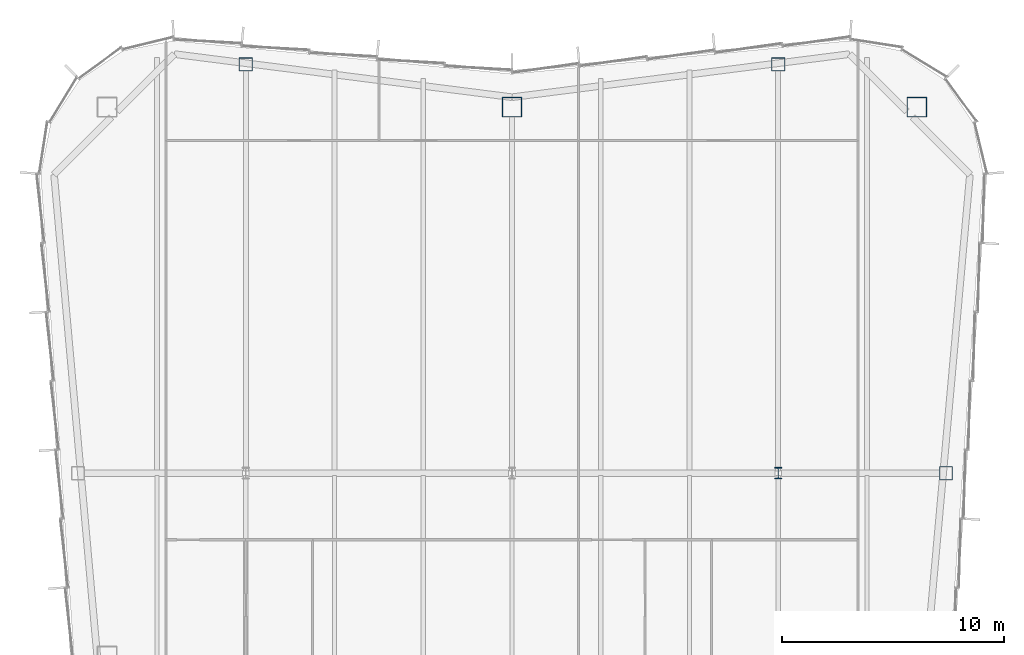
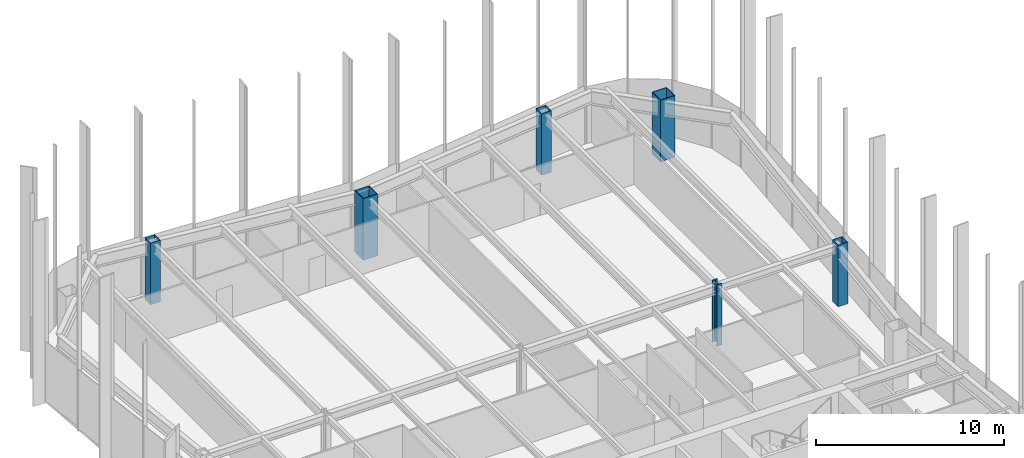
# One storey, part 2 of 13: 6 columns.
"""IFC4 building model written with IfcOpenShell, lengths in metres."""

from ifc_helpers import new_model, si_unit, direction, frame, origin, origin_2d, place, context, subcontext, project, spatial, hollow_rectangle, i_section, extrude, material, material_profile, profile_set, type_object, element, save


model = new_model("IFC4")

# Units and contexts
model_context = context("Model", 3, precision=1e-05, world=origin(), true_north=direction((0.0, 1.0)))
body_context = subcontext(model_context, "Body", "Model", "MODEL_VIEW")
ifc_project = project(units=[si_unit("LENGTHUNIT", "METRE"), si_unit("AREAUNIT", "SQUARE_METRE"), si_unit("VOLUMEUNIT", "CUBIC_METRE"), si_unit("PLANEANGLEUNIT", "RADIAN"), si_unit("MASSUNIT", "GRAM", prefix="KILO")], contexts=[model_context])

# Site, building, storey
site_placement = place(None, origin())
site = spatial("IfcSite", under=ifc_project, at=site_placement, CompositionType="ELEMENT")
building_placement = place(site_placement, origin())
building = spatial("IfcBuilding", under=site, at=building_placement, Name="Verdant Reach Tower", CompositionType="ELEMENT")
storey_placement = place(building_placement, frame((0.0, 0.0, 294.0)))
storey = spatial("IfcBuildingStorey", under=building, at=storey_placement, Name="L67", CompositionType="ELEMENT", Elevation=294.0)

# Columns
ifc_material = material(Name="Steel S460", Category="steel")
ifc_material_profile_1 = material_profile(ifc_material, i_section(OverallWidth=0.305908203125, OverallDepth=0.52392578125, WebThickness=0.012451171875, FlangeThickness=0.0400390625, FilletRadius=0.027099609375, at=origin_2d()), Name="HEM 500")
ifc_profile_set_1 = profile_set([ifc_material_profile_1], Name="Steel S460")
column_type_1 = type_object("IfcColumnType", Name="ST-COL-HEM500", PredefinedType="COLUMN", material=ifc_profile_set_1)
column_placement = place(storey_placement, frame((12.0, 49.5, 0.0), z_axis=(0.0, 0.0, 1.0), x_axis=(1.0, 0.0, 0.0)))
element("IfcColumn", 1, at=column_placement, inside=storey, type_object=column_type_1, Name="Interior column 3, L67", PredefinedType="COLUMN", context=body_context, shape_type="SweptSolid", body=[
    extrude(i_section(OverallWidth=0.305908203125, OverallDepth=0.52392578125, WebThickness=0.012451171875, FlangeThickness=0.0400390625, FilletRadius=0.027099609375, at=origin_2d()), origin(), (0.0, 0.0, 1.0), 4.0),
])
ifc_material_profile_2 = material_profile(ifc_material, hollow_rectangle(XDim=0.60009765625, YDim=0.60009765625, WallThickness=0.02490234375, at=origin_2d()), Name="WB 600x600x25")
ifc_profile_set_2 = profile_set([ifc_material_profile_2], Name="Steel S460")
column_type_2 = type_object("IfcColumnType", Name="ST-COL-WB600x600x25", PredefinedType="COLUMN", material=ifc_profile_set_2)
for number, where, z_axis, x_axis, name in (
    (2, (-12.0, 67.930419921875, 0.0), (0.0, 0.0, 1.0), (1.0, 0.0, 0.0), "Perimeter column north 1, L67"),
    (3, (12.0, 67.930419921875, 0.0), (0.0, 0.0, 1.0), (1.0, 0.0, 0.0), "Perimeter column north 2, L67"),
    (4, (19.569091796875, 49.5, 0.0), (0.0, 0.0, 1.0), (1.0, 0.0, 0.0), "Perimeter column east 2, L67"),
):
    element("IfcColumn", number, at=place(storey_placement, frame(where, z_axis=z_axis, x_axis=x_axis)), inside=storey, type_object=column_type_2, Name=name, PredefinedType="COLUMN", context=body_context, shape_type="SweptSolid", body=[
        extrude(hollow_rectangle(XDim=0.60009765625, YDim=0.60009765625, WallThickness=0.02490234375, at=origin_2d()), origin(), (0.0, 0.0, 1.0), 4.0),
    ])
ifc_material_profile_3 = material_profile(ifc_material, hollow_rectangle(XDim=0.89990234375, YDim=0.89990234375, WallThickness=0.0400390625, at=origin_2d()), Name="WB 900x900x40")
ifc_profile_set_3 = profile_set([ifc_material_profile_3], Name="Steel S460")
column_type_3 = type_object("IfcColumnType", Name="ST-COL-WB900x900x40", PredefinedType="COLUMN", material=ifc_profile_set_3)
for number, where, z_axis, x_axis, name in (
    (5, (0.0, 66.0, 0.0), (0.0, 0.0, 1.0), (1.0, 0.0, 0.0), "Mega column north, L67"),
    (6, (18.25, 66.0, 0.0), (0.0, 0.0, 1.0), (1.0, 0.0, 0.0), "Mega column north-east, L67"),
):
    element("IfcColumn", number, at=place(storey_placement, frame(where, z_axis=z_axis, x_axis=x_axis)), inside=storey, type_object=column_type_3, Name=name, PredefinedType="COLUMN", context=body_context, shape_type="SweptSolid", body=[
        extrude(hollow_rectangle(XDim=0.89990234375, YDim=0.89990234375, WallThickness=0.0400390625, at=origin_2d()), origin(), (0.0, 0.0, 1.0), 4.0),
    ])

save(model, "model.ifc")
